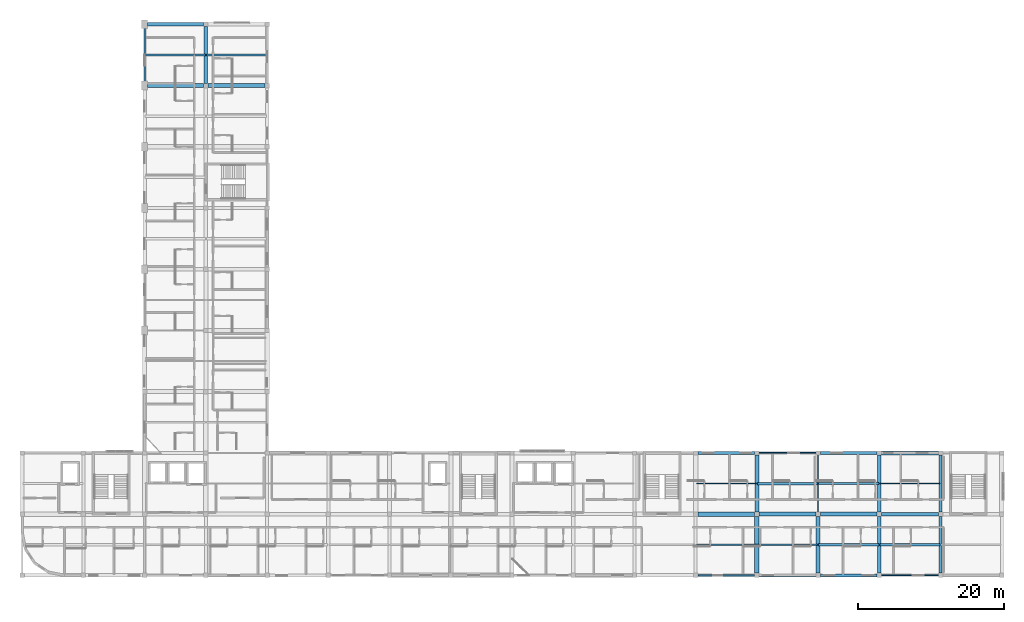
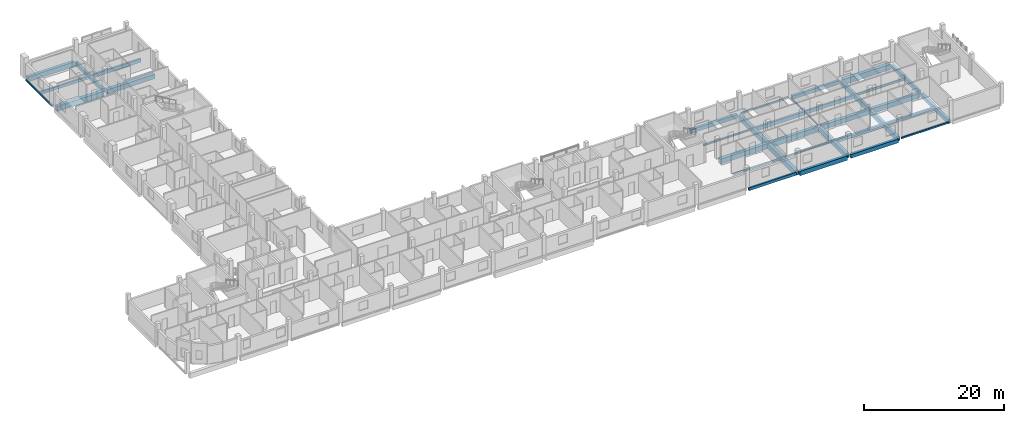
# One storey, part 5 of 24: 35 beams.
"""IFC4 building model written with IfcOpenShell, lengths in metres."""

from ifc_helpers import new_model, si_unit, derived_unit, direction, frame, origin, origin_2d, place, context, subcontext, project, spatial, rectangle, hollow_rectangle, i_section, extrude, material, material_profile, profile_set, type_object, element, save


model = new_model("IFC4")

# Units and contexts
model_context = context("Model", 3, precision=1e-05, world=origin(), true_north=direction((0.0, 1.0)))
body_context = subcontext(model_context, "Body", "Model", "MODEL_VIEW")
ifc_project = project(units=[si_unit("LENGTHUNIT", "METRE"), si_unit("AREAUNIT", "SQUARE_METRE"), si_unit("VOLUMEUNIT", "CUBIC_METRE"), si_unit("PLANEANGLEUNIT", "RADIAN"), si_unit("MASSUNIT", "GRAM", prefix="KILO"), derived_unit("THERMALTRANSMITTANCEUNIT", [(si_unit("POWERUNIT", "WATT"), 1), (si_unit("LENGTHUNIT", "METRE"), -2), (si_unit("THERMODYNAMICTEMPERATUREUNIT", "KELVIN"), -1)])], contexts=[model_context])

# Site, building, storey
site_placement = place(None, origin())
site = spatial("IfcSite", under=ifc_project, at=site_placement, CompositionType="ELEMENT")
building_placement = place(site_placement, origin())
building = spatial("IfcBuilding", under=site, at=building_placement, Name="Barrovel Congress Hotel", CompositionType="ELEMENT")
storey_placement = place(building_placement, frame((0.0, 0.0, 29.10009765625)))
storey = spatial("IfcBuildingStorey", under=building, at=storey_placement, Name="L07", CompositionType="ELEMENT", Elevation=29.10009765625)

# Beams
ifc_material_1 = material(Name="Concrete C40", Category="concrete")
ifc_material_profile_1 = material_profile(ifc_material_1, rectangle(XDim=0.25, YDim=0.5, at=origin_2d()), Name="RC250x500")
ifc_profile_set_1 = profile_set([ifc_material_profile_1], Name="Concrete C40")
beam_type_1 = type_object("IfcBeamType", Name="BM-RC250x500", PredefinedType="SPANDREL", material=ifc_profile_set_1)
beam_1_placement = place(storey_placement, frame((109.5, 4.199951171875, -0.47021484375), z_axis=(1.0, 0.0, 0.0), x_axis=(0.0, 1.0, 0.0)))
element("IfcBeam", 1, at=beam_1_placement, inside=storey, type_object=beam_type_1, Name="BMX:L07:4.2:109.2-117.6", PredefinedType="SPANDREL", context=body_context, shape_type="SweptSolid", body=[
    extrude(rectangle(XDim=0.25, YDim=0.5, at=origin_2d()), origin(), (0.0, 0.0, 1.0), 7.800048828125),
])
ifc_material_profile_2 = material_profile(ifc_material_1, rectangle(XDim=0.300048828125, YDim=0.5, at=origin_2d()), Name="RC300x500")
ifc_profile_set_2 = profile_set([ifc_material_profile_2], Name="Concrete C40")
beam_type_2 = type_object("IfcBeamType", Name="BM-RC300x500", PredefinedType="JOIST", material=ifc_profile_set_2)
for number, where, z_axis, x_axis, name in (
    (2, (33.679931640625, 75.60009765625, -0.47021484375), (1.0, 0.0, 0.0), (0.0, 1.0, 0.0), "JST:L07:33.6:75.6"),
    (3, (134.47998046875, 8.39990234375, -0.47021484375), (1.0, 0.0, 0.0), (0.0, 1.0, 0.0), "JST:L07:134.4:8.4"),
):
    element("IfcBeam", number, at=place(storey_placement, frame(where, z_axis=z_axis, x_axis=x_axis)), inside=storey, type_object=beam_type_2, Name=name, PredefinedType="JOIST", context=body_context, shape_type="SweptSolid", body=[
        extrude(rectangle(XDim=0.300048828125, YDim=0.5, at=origin_2d()), origin(), (0.0, 0.0, 1.0), 8.239990234375),
    ])
ifc_material_profile_3 = material_profile(ifc_material_1, rectangle(XDim=0.300048828125, YDim=0.60009765625, at=origin_2d()), Name="RC300x600")
ifc_profile_set_3 = profile_set([ifc_material_profile_3], Name="Concrete C40")
beam_type_3 = type_object("IfcBeamType", Name="BM-RC300x600", PredefinedType="JOIST", material=ifc_profile_set_3)
for number, where, z_axis, x_axis, name in (
    (4, (42.080078125, 75.60009765625, -0.52001953125), (1.0, 0.0, 0.0), (0.0, 1.0, 0.0), "JST:L07:42.0:75.6"),
    (5, (126.080078125, 16.800048828125, -0.52001953125), (1.0, 0.0, 0.0), (0.0, 1.0, 0.0), "JST:L07:126.0:16.8"),
):
    element("IfcBeam", number, at=place(storey_placement, frame(where, z_axis=z_axis, x_axis=x_axis)), inside=storey, type_object=beam_type_3, Name=name, PredefinedType="JOIST", context=body_context, shape_type="SweptSolid", body=[
        extrude(rectangle(XDim=0.300048828125, YDim=0.60009765625, at=origin_2d()), origin(), (0.0, 0.0, 1.0), 8.239990234375),
    ])
ifc_material_profile_4 = material_profile(ifc_material_1, rectangle(XDim=0.35009765625, YDim=0.550048828125, at=origin_2d()), Name="RC350x550")
ifc_profile_set_4 = profile_set([ifc_material_profile_4], Name="Concrete C40")
beam_type_4 = type_object("IfcBeamType", Name="BM-RC350x550", PredefinedType="JOIST", material=ifc_profile_set_4)
beam_2_placement = place(storey_placement, frame((126.080078125, 8.39990234375, -0.4951171875), z_axis=(1.0, 0.0, 0.0), x_axis=(0.0, 1.0, 0.0)))
element("IfcBeam", 6, at=beam_2_placement, inside=storey, type_object=beam_type_4, Name="JST:L07:126.0:8.4", PredefinedType="JOIST", context=body_context, shape_type="SweptSolid", body=[
    extrude(rectangle(XDim=0.35009765625, YDim=0.550048828125, at=origin_2d()), origin(), (0.0, 0.0, 1.0), 8.239990234375),
])
ifc_material_profile_5 = material_profile(ifc_material_1, rectangle(XDim=0.35009765625, YDim=0.64990234375, at=origin_2d()), Name="RC350x650")
ifc_profile_set_5 = profile_set([ifc_material_profile_5], Name="Concrete C40")
beam_type_5 = type_object("IfcBeamType", Name="BM-RC350x650", PredefinedType="JOIST", material=ifc_profile_set_5)
beam_3_placement = place(storey_placement, frame((117.679931640625, 16.800048828125, -0.545166015625), z_axis=(1.0, 0.0, 0.0), x_axis=(0.0, 1.0, 0.0)))
element("IfcBeam", 7, at=beam_3_placement, inside=storey, type_object=beam_type_5, Name="JST:L07:117.6:16.8", PredefinedType="JOIST", context=body_context, shape_type="SweptSolid", body=[
    extrude(rectangle(XDim=0.35009765625, YDim=0.64990234375, at=origin_2d()), origin(), (0.0, 0.0, 1.0), 8.239990234375),
])
ifc_material_profile_6 = material_profile(ifc_material_1, rectangle(XDim=0.39990234375, YDim=0.60009765625, at=origin_2d()), Name="RC400x600")
ifc_profile_set_6 = profile_set([ifc_material_profile_6], Name="Concrete C40")
beam_type_6 = type_object("IfcBeamType", Name="BM-RC400x600", PredefinedType="BEAM", material=ifc_profile_set_6)
beam_4_placement = place(storey_placement, frame((126.300048828125, 21.0, -0.52001953125), z_axis=(1.0, 0.0, 0.0), x_axis=(0.0, 1.0, 0.0)))
element("IfcBeam", 8, at=beam_4_placement, inside=storey, type_object=beam_type_6, Name="BMX:L07:21.0:126.0-134.4", PredefinedType="BEAM", context=body_context, shape_type="SweptSolid", body=[
    extrude(rectangle(XDim=0.39990234375, YDim=0.60009765625, at=origin_2d()), origin(), (0.0, 0.0, 1.0), 7.800048828125),
])
ifc_material_profile_7 = material_profile(ifc_material_1, rectangle(XDim=0.39990234375, YDim=0.699951171875, at=origin_2d()), Name="RC400x700")
ifc_profile_set_7 = profile_set([ifc_material_profile_7], Name="Concrete C40")
beam_type_7 = type_object("IfcBeamType", Name="BM-RC400x700", PredefinedType="BEAM", material=ifc_profile_set_7)
beam_5_placement = place(storey_placement, frame((142.800048828125, 12.89990234375, -0.570068359375), z_axis=(0.0, 1.0, 0.0), x_axis=(-1.0, 0.0, 0.0)))
element("IfcBeam", 9, at=beam_5_placement, inside=storey, type_object=beam_type_7, Name="BMY:L07:142.8:12.6-21.0", PredefinedType="BEAM", context=body_context, shape_type="SweptSolid", body=[
    extrude(rectangle(XDim=0.39990234375, YDim=0.699951171875, at=origin_2d()), origin(), (0.0, 0.0, 1.0), 7.800048828125),
])
ifc_material_profile_8 = material_profile(ifc_material_1, rectangle(XDim=0.449951171875, YDim=0.64990234375, at=origin_2d()), Name="RC450x650")
ifc_profile_set_8 = profile_set([ifc_material_profile_8], Name="Concrete C40")
beam_type_8 = type_object("IfcBeamType", Name="BM-RC450x650", PredefinedType="BEAM", material=ifc_profile_set_8)
for number, where, z_axis, x_axis, name in (
    (10, (126.300048828125, 4.199951171875, -0.545166015625), (1.0, 0.0, 0.0), (0.0, 1.0, 0.0), "BMX:L07:4.2:126.0-134.4"),
    (11, (109.5, 21.0, -0.545166015625), (1.0, 0.0, 0.0), (0.0, 1.0, 0.0), "BMX:L07:21.0:109.2-117.6"),
    (12, (42.0, 71.699951171875, -0.545166015625), (0.0, 1.0, 0.0), (-1.0, 0.0, 0.0), "BMY:L07:42.0:71.4-79.8"),
    (13, (142.800048828125, 4.5, -0.545166015625), (0.0, 1.0, 0.0), (-1.0, 0.0, 0.0), "BMY:L07:142.8:4.2-12.6"),
):
    element("IfcBeam", number, at=place(storey_placement, frame(where, z_axis=z_axis, x_axis=x_axis)), inside=storey, type_object=beam_type_8, Name=name, PredefinedType="BEAM", context=body_context, shape_type="SweptSolid", body=[
        extrude(rectangle(XDim=0.449951171875, YDim=0.64990234375, at=origin_2d()), origin(), (0.0, 0.0, 1.0), 7.800048828125),
    ])
ifc_material_profile_9 = material_profile(ifc_material_1, rectangle(XDim=0.449951171875, YDim=0.75, at=origin_2d()), Name="RC450x750")
ifc_profile_set_9 = profile_set([ifc_material_profile_9], Name="Concrete C40")
beam_type_9 = type_object("IfcBeamType", Name="BM-RC450x750", PredefinedType="BEAM", material=ifc_profile_set_9)
for number, where, z_axis, x_axis, name in (
    (14, (117.89990234375, 4.199951171875, -0.59521484375), (1.0, 0.0, 0.0), (0.0, 1.0, 0.0), "BMX:L07:4.2:117.6-126.0"),
    (15, (134.39990234375, 12.89990234375, -0.59521484375), (0.0, 1.0, 0.0), (-1.0, 0.0, 0.0), "BMY:L07:134.4:12.6-21.0"),
):
    element("IfcBeam", number, at=place(storey_placement, frame(where, z_axis=z_axis, x_axis=x_axis)), inside=storey, type_object=beam_type_9, Name=name, PredefinedType="BEAM", context=body_context, shape_type="SweptSolid", body=[
        extrude(rectangle(XDim=0.449951171875, YDim=0.75, at=origin_2d()), origin(), (0.0, 0.0, 1.0), 7.800048828125),
    ])
ifc_material_profile_10 = material_profile(ifc_material_1, rectangle(XDim=0.5, YDim=0.75, at=origin_2d()), Name="RC500x750")
ifc_profile_set_10 = profile_set([ifc_material_profile_10], Name="Concrete C40")
beam_type_10 = type_object("IfcBeamType", Name="BM-RC500x750", PredefinedType="BEAM", material=ifc_profile_set_10)
beam_6_placement = place(storey_placement, frame((134.39990234375, 4.5, -0.59521484375), z_axis=(0.0, 1.0, 0.0), x_axis=(-1.0, 0.0, 0.0)))
element("IfcBeam", 16, at=beam_6_placement, inside=storey, type_object=beam_type_10, Name="BMY:L07:134.4:4.2-12.6", PredefinedType="BEAM", context=body_context, shape_type="SweptSolid", body=[
    extrude(rectangle(XDim=0.5, YDim=0.75, at=origin_2d()), origin(), (0.0, 0.0, 1.0), 7.800048828125),
])
ifc_material_profile_11 = material_profile(ifc_material_1, rectangle(XDim=0.5, YDim=0.85009765625, at=origin_2d()), Name="RC500x850")
ifc_profile_set_11 = profile_set([ifc_material_profile_11], Name="Concrete C40")
beam_type_11 = type_object("IfcBeamType", Name="BM-RC500x850", PredefinedType="BEAM", material=ifc_profile_set_11)
beam_7_placement = place(storey_placement, frame((134.699951171875, 12.60009765625, -0.64501953125), z_axis=(1.0, 0.0, 0.0), x_axis=(0.0, 1.0, 0.0)))
element("IfcBeam", 17, at=beam_7_placement, inside=storey, type_object=beam_type_11, Name="BMX:L07:12.6:134.4-142.8", PredefinedType="BEAM", context=body_context, shape_type="SweptSolid", body=[
    extrude(rectangle(XDim=0.5, YDim=0.85009765625, at=origin_2d()), origin(), (0.0, 0.0, 1.0), 7.800048828125),
])
beam_8_placement = place(storey_placement, frame((34.0, 79.800048828125, -0.64501953125), z_axis=(1.0, 0.0, 0.0), x_axis=(0.0, 1.0, 0.0)))
element("IfcBeam", 18, at=beam_8_placement, inside=storey, type_object=beam_type_11, Name="BMX:L07:79.8:33.6-42.0", PredefinedType="BEAM", context=body_context, shape_type="SweptSolid", body=[
    extrude(rectangle(XDim=0.5, YDim=0.85009765625, at=origin_2d()), origin(), (0.0, 0.0, 1.0), 7.699951171875),
])
ifc_material_profile_12 = material_profile(ifc_material_1, rectangle(XDim=0.550048828125, YDim=0.800048828125, at=origin_2d()), Name="RC550x800")
ifc_profile_set_12 = profile_set([ifc_material_profile_12], Name="Concrete C40")
beam_type_12 = type_object("IfcBeamType", Name="BM-RC550x800", PredefinedType="BEAM", material=ifc_profile_set_12)
for number, where, z_axis, x_axis, name in (
    (19, (126.300048828125, 12.60009765625, -0.6201171875), (1.0, 0.0, 0.0), (0.0, 1.0, 0.0), "BMX:L07:12.6:126.0-134.4"),
    (20, (42.300048828125, 71.39990234375, -0.6201171875), (1.0, 0.0, 0.0), (0.0, 1.0, 0.0), "BMX:L07:71.4:42.0-50.4"),
    (21, (126.0, 4.5, -0.6201171875), (0.0, 1.0, 0.0), (-1.0, 0.0, 0.0), "BMY:L07:126.0:4.2-12.6"),
):
    element("IfcBeam", number, at=place(storey_placement, frame(where, z_axis=z_axis, x_axis=x_axis)), inside=storey, type_object=beam_type_12, Name=name, PredefinedType="BEAM", context=body_context, shape_type="SweptSolid", body=[
        extrude(rectangle(XDim=0.550048828125, YDim=0.800048828125, at=origin_2d()), origin(), (0.0, 0.0, 1.0), 7.800048828125),
    ])
ifc_material_profile_13 = material_profile(ifc_material_1, rectangle(XDim=0.550048828125, YDim=0.89990234375, at=origin_2d()), Name="RC550x900")
ifc_profile_set_13 = profile_set([ifc_material_profile_13], Name="Concrete C40")
beam_type_13 = type_object("IfcBeamType", Name="BM-RC550x900", PredefinedType="BEAM", material=ifc_profile_set_13)
beam_9_placement = place(storey_placement, frame((117.89990234375, 12.60009765625, -0.670166015625), z_axis=(1.0, 0.0, 0.0), x_axis=(0.0, 1.0, 0.0)))
element("IfcBeam", 22, at=beam_9_placement, inside=storey, type_object=beam_type_13, Name="BMX:L07:12.6:117.6-126.0", PredefinedType="BEAM", context=body_context, shape_type="SweptSolid", body=[
    extrude(rectangle(XDim=0.550048828125, YDim=0.89990234375, at=origin_2d()), origin(), (0.0, 0.0, 1.0), 7.800048828125),
])
beam_10_placement = place(storey_placement, frame((34.0, 71.39990234375, -0.670166015625), z_axis=(1.0, 0.0, 0.0), x_axis=(0.0, 1.0, 0.0)))
element("IfcBeam", 23, at=beam_10_placement, inside=storey, type_object=beam_type_13, Name="BMX:L07:71.4:33.6-42.0", PredefinedType="BEAM", context=body_context, shape_type="SweptSolid", body=[
    extrude(rectangle(XDim=0.550048828125, YDim=0.89990234375, at=origin_2d()), origin(), (0.0, 0.0, 1.0), 7.699951171875),
])
beam_11_placement = place(storey_placement, frame((117.60009765625, 12.89990234375, -0.670166015625), z_axis=(0.0, 1.0, 0.0), x_axis=(-1.0, 0.0, 0.0)))
element("IfcBeam", 24, at=beam_11_placement, inside=storey, type_object=beam_type_13, Name="BMY:L07:117.6:12.6-21.0", PredefinedType="BEAM", context=body_context, shape_type="SweptSolid", body=[
    extrude(rectangle(XDim=0.550048828125, YDim=0.89990234375, at=origin_2d()), origin(), (0.0, 0.0, 1.0), 7.800048828125),
])
ifc_material_profile_14 = material_profile(ifc_material_1, rectangle(XDim=0.60009765625, YDim=0.85009765625, at=origin_2d()), Name="RC600x850")
ifc_profile_set_14 = profile_set([ifc_material_profile_14], Name="Concrete C40")
beam_type_14 = type_object("IfcBeamType", Name="BM-RC600x850", PredefinedType="BEAM", material=ifc_profile_set_14)
for number, where, z_axis, x_axis, name in (
    (25, (109.5, 12.60009765625, -0.64501953125), (1.0, 0.0, 0.0), (0.0, 1.0, 0.0), "BMX:L07:12.6:109.2-117.6"),
    (26, (117.60009765625, 4.5, -0.64501953125), (0.0, 1.0, 0.0), (-1.0, 0.0, 0.0), "BMY:L07:117.6:4.2-12.6"),
):
    element("IfcBeam", number, at=place(storey_placement, frame(where, z_axis=z_axis, x_axis=x_axis)), inside=storey, type_object=beam_type_14, Name=name, PredefinedType="BEAM", context=body_context, shape_type="SweptSolid", body=[
        extrude(rectangle(XDim=0.60009765625, YDim=0.85009765625, at=origin_2d()), origin(), (0.0, 0.0, 1.0), 7.800048828125),
    ])
ifc_material_profile_15 = material_profile(ifc_material_1, rectangle(XDim=0.60009765625, YDim=0.949951171875, at=origin_2d()), Name="RC600x950")
ifc_profile_set_15 = profile_set([ifc_material_profile_15], Name="Concrete C40")
beam_type_15 = type_object("IfcBeamType", Name="BM-RC600x950", PredefinedType="BEAM", material=ifc_profile_set_15)
beam_12_placement = place(storey_placement, frame((134.699951171875, 21.0, -0.695068359375), z_axis=(1.0, 0.0, 0.0), x_axis=(0.0, 1.0, 0.0)))
element("IfcBeam", 27, at=beam_12_placement, inside=storey, type_object=beam_type_15, Name="BMX:L07:21.0:134.4-142.8", PredefinedType="BEAM", context=body_context, shape_type="SweptSolid", body=[
    extrude(rectangle(XDim=0.60009765625, YDim=0.949951171875, at=origin_2d()), origin(), (0.0, 0.0, 1.0), 7.800048828125),
])
ifc_material_2 = material(Name="Steel ASTM A500 Grade C", Category="steel")
ifc_material_profile_16 = material_profile(ifc_material_2, hollow_rectangle(XDim=0.15234375, YDim=0.25390625, WallThickness=0.0087890625, InnerFilletRadius=0.0087890625, OuterFilletRadius=0.017578125, at=origin_2d()), Name="HSS254x152x9.5")
ifc_profile_set_16 = profile_set([ifc_material_profile_16], Name="Steel ASTM A500 Grade C")
beam_type_16 = type_object("IfcBeamType", Name="SBM-HSS254x152x9.5", PredefinedType="SPANDREL", material=ifc_profile_set_16)
beam_13_placement = place(storey_placement, frame((126.0, 12.89990234375, -0.34716796875), z_axis=(0.0, 1.0, 0.0), x_axis=(-1.0, 0.0, 0.0)))
element("IfcBeam", 28, at=beam_13_placement, inside=storey, type_object=beam_type_16, Name="BMY:L07:126.0:12.6-21.0", PredefinedType="SPANDREL", context=body_context, shape_type="SweptSolid", body=[
    extrude(hollow_rectangle(XDim=0.15234375, YDim=0.25390625, WallThickness=0.0087890625, InnerFilletRadius=0.0087890625, OuterFilletRadius=0.017578125, at=origin_2d()), origin(), (0.0, 0.0, 1.0), 7.800048828125),
])
ifc_material_profile_17 = material_profile(ifc_material_2, hollow_rectangle(XDim=0.203125, YDim=0.3046875, WallThickness=0.01171875, InnerFilletRadius=0.01171875, OuterFilletRadius=0.023681640625, at=origin_2d()), Name="HSS305x203x12.7")
ifc_profile_set_17 = profile_set([ifc_material_profile_17], Name="Steel ASTM A500 Grade C")
beam_type_17 = type_object("IfcBeamType", Name="SBM-HSS305x203x12.7", PredefinedType="SPANDREL", material=ifc_profile_set_17)
for number, where, z_axis, x_axis, name in (
    (29, (134.699951171875, 4.199951171875, -0.37255859375), (1.0, 0.0, 0.0), (0.0, 1.0, 0.0), "BMX:L07:4.2:134.4-142.8"),
    (30, (117.89990234375, 21.0, -0.37255859375), (1.0, 0.0, 0.0), (0.0, 1.0, 0.0), "BMX:L07:21.0:117.6-126.0"),
):
    element("IfcBeam", number, at=place(storey_placement, frame(where, z_axis=z_axis, x_axis=x_axis)), inside=storey, type_object=beam_type_17, Name=name, PredefinedType="SPANDREL", context=body_context, shape_type="SweptSolid", body=[
        extrude(hollow_rectangle(XDim=0.203125, YDim=0.3046875, WallThickness=0.01171875, InnerFilletRadius=0.01171875, OuterFilletRadius=0.023681640625, at=origin_2d()), origin(), (0.0, 0.0, 1.0), 7.800048828125),
    ])
beam_14_placement = place(storey_placement, frame((33.60009765625, 71.85009765625, -0.37255859375), z_axis=(0.0, 1.0, 0.0), x_axis=(-1.0, 0.0, 0.0)))
element("IfcBeam", 31, at=beam_14_placement, inside=storey, type_object=beam_type_17, Name="BMY:L07:33.6:71.4-79.8", PredefinedType="SPANDREL", context=body_context, shape_type="SweptSolid", body=[
    extrude(hollow_rectangle(XDim=0.203125, YDim=0.3046875, WallThickness=0.01171875, InnerFilletRadius=0.01171875, OuterFilletRadius=0.023681640625, at=origin_2d()), origin(), (0.0, 0.0, 1.0), 7.5),
])
ifc_material_3 = material(Name="Steel ASTM A992 Grade 50", Category="steel")
ifc_material_profile_18 = material_profile(ifc_material_3, i_section(OverallWidth=0.1650390625, OverallDepth=0.31005859375, WebThickness=0.005859375, FlangeThickness=0.009765625, FilletRadius=0.010986328125, at=origin_2d()), Name="W310x39")
ifc_profile_set_18 = profile_set([ifc_material_profile_18], Name="Steel ASTM A992 Grade 50")
beam_type_18 = type_object("IfcBeamType", Name="SBM-W310x39", PredefinedType="JOIST", material=ifc_profile_set_18)
beam_15_placement = place(storey_placement, frame((117.679931640625, 8.39990234375, -0.375), z_axis=(1.0, 0.0, 0.0), x_axis=(0.0, 1.0, 0.0)))
element("IfcBeam", 32, at=beam_15_placement, inside=storey, type_object=beam_type_18, Name="JST:L07:117.6:8.4", PredefinedType="JOIST", context=body_context, shape_type="SweptSolid", body=[
    extrude(i_section(OverallWidth=0.1650390625, OverallDepth=0.31005859375, WebThickness=0.005859375, FlangeThickness=0.009765625, FilletRadius=0.010986328125, at=origin_2d()), origin(), (0.0, 0.0, 1.0), 8.239990234375),
])
ifc_material_profile_19 = material_profile(ifc_material_3, i_section(OverallWidth=0.1669921875, OverallDepth=0.31689453125, WebThickness=0.007568359375, FlangeThickness=0.01318359375, FilletRadius=0.010986328125, at=origin_2d()), Name="W310x52")
ifc_profile_set_19 = profile_set([ifc_material_profile_19], Name="Steel ASTM A992 Grade 50")
beam_type_19 = type_object("IfcBeamType", Name="SBM-W310x52", PredefinedType="JOIST", material=ifc_profile_set_19)
beam_16_placement = place(storey_placement, frame((109.280029296875, 16.800048828125, -0.378662109375), z_axis=(1.0, 0.0, 0.0), x_axis=(0.0, 1.0, 0.0)))
element("IfcBeam", 33, at=beam_16_placement, inside=storey, type_object=beam_type_19, Name="JST:L07:109.2:16.8", PredefinedType="JOIST", context=body_context, shape_type="SweptSolid", body=[
    extrude(i_section(OverallWidth=0.1669921875, OverallDepth=0.31689453125, WebThickness=0.007568359375, FlangeThickness=0.01318359375, FilletRadius=0.010986328125, at=origin_2d()), origin(), (0.0, 0.0, 1.0), 8.239990234375),
])
ifc_material_profile_20 = material_profile(ifc_material_3, i_section(OverallWidth=0.1708984375, OverallDepth=0.35205078125, WebThickness=0.0068359375, FlangeThickness=0.009765625, FilletRadius=0.011962890625, at=origin_2d()), Name="W360x44")
ifc_profile_set_20 = profile_set([ifc_material_profile_20], Name="Steel ASTM A992 Grade 50")
beam_type_20 = type_object("IfcBeamType", Name="SBM-W360x44", PredefinedType="JOIST", material=ifc_profile_set_20)
beam_17_placement = place(storey_placement, frame((109.280029296875, 8.39990234375, -0.39599609375), z_axis=(1.0, 0.0, 0.0), x_axis=(0.0, 1.0, 0.0)))
element("IfcBeam", 34, at=beam_17_placement, inside=storey, type_object=beam_type_20, Name="JST:L07:109.2:8.4", PredefinedType="JOIST", context=body_context, shape_type="SweptSolid", body=[
    extrude(i_section(OverallWidth=0.1708984375, OverallDepth=0.35205078125, WebThickness=0.0068359375, FlangeThickness=0.009765625, FilletRadius=0.011962890625, at=origin_2d()), origin(), (0.0, 0.0, 1.0), 8.239990234375),
])
ifc_material_profile_21 = material_profile(ifc_material_3, i_section(OverallWidth=0.177001953125, OverallDepth=0.403076171875, WebThickness=0.007568359375, FlangeThickness=0.010986328125, FilletRadius=0.011962890625, at=origin_2d()), Name="W410x53")
ifc_profile_set_21 = profile_set([ifc_material_profile_21], Name="Steel ASTM A992 Grade 50")
beam_type_21 = type_object("IfcBeamType", Name="SBM-W410x53", PredefinedType="JOIST", material=ifc_profile_set_21)
beam_18_placement = place(storey_placement, frame((134.47998046875, 16.800048828125, -0.421630859375), z_axis=(1.0, 0.0, 0.0), x_axis=(0.0, 1.0, 0.0)))
element("IfcBeam", 35, at=beam_18_placement, inside=storey, type_object=beam_type_21, Name="JST:L07:134.4:16.8", PredefinedType="JOIST", context=body_context, shape_type="SweptSolid", body=[
    extrude(i_section(OverallWidth=0.177001953125, OverallDepth=0.403076171875, WebThickness=0.007568359375, FlangeThickness=0.010986328125, FilletRadius=0.011962890625, at=origin_2d()), origin(), (0.0, 0.0, 1.0), 8.239990234375),
])

save(model, "model.ifc")
